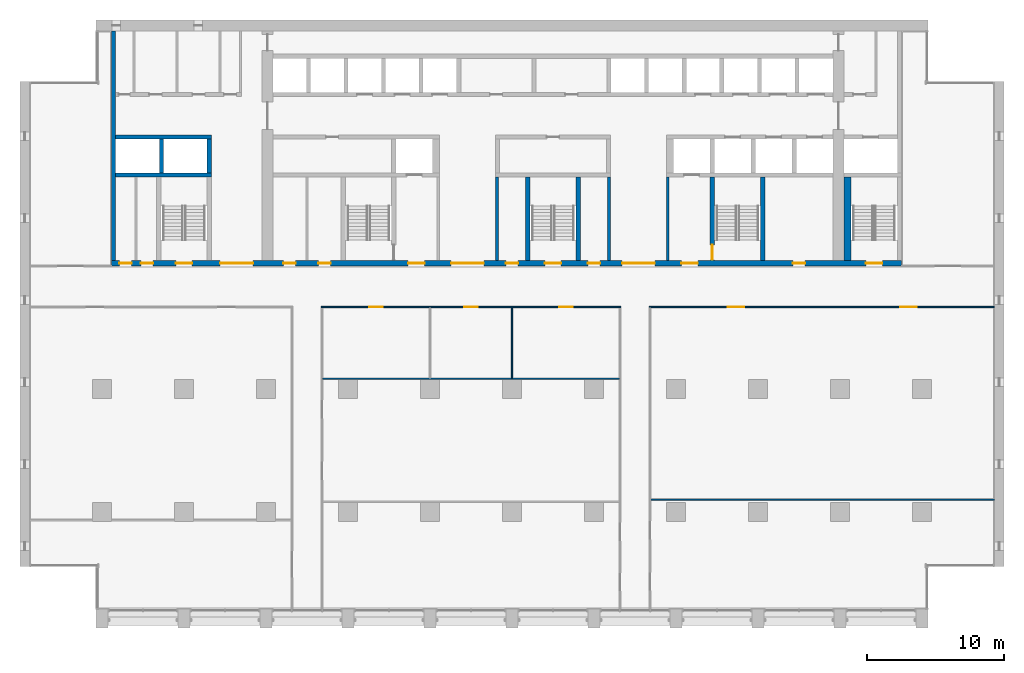
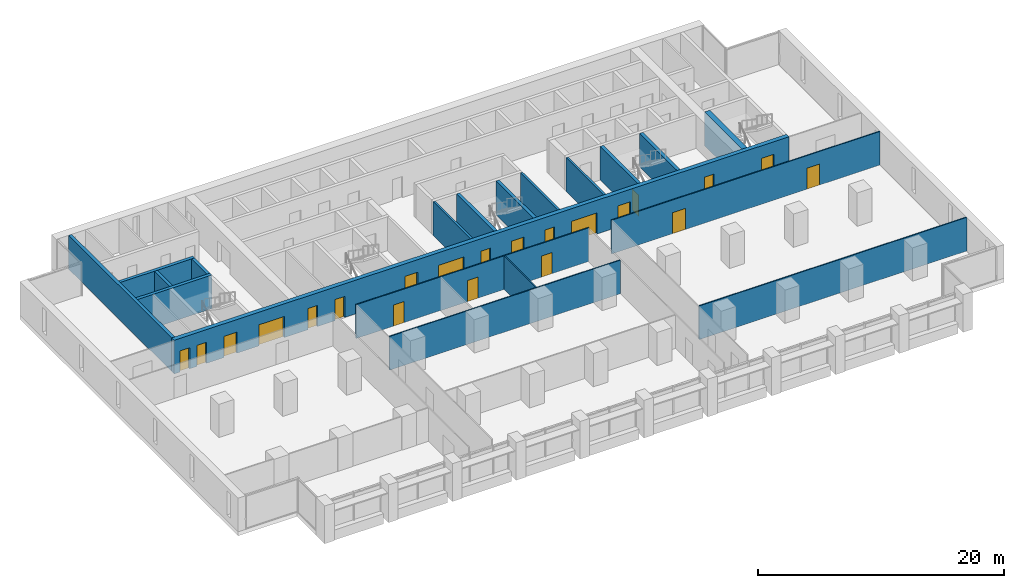
# One storey, part 9 of 15: 21 doors, 19 walls, 21 openings.
"""IFC4 building model written with IfcOpenShell, lengths in metres."""

from ifc_helpers import new_model, si_unit, direction, frame, frame_2d, origin, place, context, subcontext, project, spatial, rectangle, extrude, material, layer, layer_set, type_object, element, fill, save


model = new_model("IFC4")

# Units and contexts
model_context = context("Model", 3, precision=1e-05, world=origin(), true_north=direction((0.0, 1.0)))
body_context = subcontext(model_context, "Body", "Model", "MODEL_VIEW")
ifc_project = project(units=[si_unit("LENGTHUNIT", "METRE"), si_unit("AREAUNIT", "SQUARE_METRE"), si_unit("VOLUMEUNIT", "CUBIC_METRE"), si_unit("PLANEANGLEUNIT", "RADIAN"), si_unit("MASSUNIT", "GRAM", prefix="KILO")], contexts=[model_context])

# Site, building, storey
site_placement = place(None, origin())
site = spatial("IfcSite", under=ifc_project, at=site_placement, CompositionType="ELEMENT")
building_placement = place(site_placement, origin())
building = spatial("IfcBuilding", under=site, at=building_placement, Name="Calvaro Tower", CompositionType="ELEMENT")
storey_placement = place(building_placement, frame((0.0, 0.0, 110.0)))
storey = spatial("IfcBuildingStorey", under=building, at=storey_placement, Name="L27", CompositionType="ELEMENT", Elevation=110.0)

# Walls
ifc_material_1 = material(Name="Blockwork partition", Category="masonry")
ifc_layer_1 = layer(ifc_material_1, 0.199951171875)
ifc_layer_set_1 = layer_set([ifc_layer_1], Name="Blockwork partition")
wall_type_1 = type_object("IfcWallType", Name="Core partition 200 REI 120", PredefinedType="PARTITIONING", material=ifc_layer_set_1)
for number, where, z_axis, x_axis, name in (
    (1, (34.89990234375, 28.39990234375, 0.0), (0.0, 0.0, 1.0), (0.0, 1.0, 0.0), "Core partition"),
    (2, (43.10009765625, 28.39990234375, 0.0), (0.0, 0.0, 1.0), (0.0, 1.0, 0.0), "Core partition"),
    (3, (47.39990234375, 28.39990234375, 0.0), (0.0, 0.0, 1.0), (0.0, 1.0, 0.0), "Core partition"),
):
    element("IfcWall", number, at=place(storey_placement, frame(where, z_axis=z_axis, x_axis=x_axis)), inside=storey, type_object=wall_type_1, Name=name, PredefinedType="PARTITIONING", context=body_context, shape_type="SweptSolid", body=[
        extrude(rectangle(XDim=6.10009765625, YDim=0.199951171875, at=frame_2d((3.050048828125, 0.0))), origin(), (0.0, 0.0, 1.0), 3.35009765625),
    ])
ifc_material_2 = material(Name="Concrete C60/75", Category="concrete")
ifc_layer_2 = layer(ifc_material_2, 0.300048828125)
ifc_layer_set_2 = layer_set([ifc_layer_2], Name="Concrete C60/75")
wall_type_2 = type_object("IfcWallType", Name="Core wall C60/75 300", PredefinedType="SHEAR", material=ifc_layer_set_2)
wall_1_placement = place(storey_placement, frame((6.85009765625, 28.39990234375, 0.0), z_axis=(0.0, 0.0, 1.0), x_axis=(0.0, 1.0, 0.0)))
element("IfcWall", 4, at=wall_1_placement, inside=storey, type_object=wall_type_2, Name="Core wall, boundary", PredefinedType="SHEAR", context=body_context, shape_type="SweptSolid", body=[
    extrude(rectangle(XDim=16.800048828125, YDim=0.300048828125, at=frame_2d((8.39990234375, 0.0))), origin(), (0.0, 0.0, 1.0), 3.35009765625),
])
for number, where, z_axis, x_axis, name in (
    (5, (37.14990234375, 28.39990234375, 0.0), (0.0, 0.0, 1.0), (0.0, 1.0, 0.0), "Core wall, stair enclosure"),
    (6, (40.85009765625, 28.39990234375, 0.0), (0.0, 0.0, 1.0), (0.0, 1.0, 0.0), "Core wall, stair enclosure"),
):
    element("IfcWall", number, at=place(storey_placement, frame(where, z_axis=z_axis, x_axis=x_axis)), inside=storey, type_object=wall_type_2, Name=name, PredefinedType="SHEAR", context=body_context, shape_type="SweptSolid", body=[
        extrude(rectangle(XDim=6.10009765625, YDim=0.300048828125, at=frame_2d((3.050048828125, 0.0))), origin(), (0.0, 0.0, 1.0), 3.35009765625),
    ])

# Wall, opening, door
wall_2_placement = place(storey_placement, frame((50.64990234375, 34.5, 0.0), z_axis=(0.0, 0.0, 1.0), x_axis=(0.0, -1.0, 0.0)))
wall_2 = element("IfcWall", 7, at=wall_2_placement, inside=storey, type_object=wall_type_2, Name="Core wall, stair enclosure", PredefinedType="SHEAR", context=body_context, shape_type="SweptSolid", body=[
    extrude(rectangle(XDim=6.10009765625, YDim=0.300048828125, at=frame_2d((3.050048828125, 0.0))), origin(), (0.0, 0.0, 1.0), 3.35009765625),
])
opening_1_placement = place(wall_2_placement, frame((4.949951171875, 0.0, 0.0)))
opening_1 = element("IfcOpeningElement", 8, at=opening_1_placement, cuts=wall_2, Name="Opening FD11D", PredefinedType="OPENING", context=body_context, shape_type="SweptSolid", body=[
    extrude(rectangle(XDim=1.10009765625, YDim=2.10009765625, at=frame_2d((0.550048828125, 1.050048828125))), frame((0.0, 0.159912109375, 0.0), z_axis=(0.0, -1.0, 0.0), x_axis=(1.0, 0.0, 0.0)), (0.0, 0.0, 1.0), 0.320068359375),
])
ifc_material_3 = material(Name="Steel door set", Category="steel")
door_type_1 = type_object("IfcDoorType", Name="Fire door 1100 FD30S", OperationType="SINGLE_SWING_LEFT", PredefinedType="DOOR", material=ifc_material_3)
door_1_placement = place(opening_1_placement, origin())
door_1 = element("IfcDoor", 9, at=door_1_placement, inside=storey, type_object=door_type_1, Name="Fire door", OperationType="SINGLE_SWING_RIGHT", OverallHeight=2.10009765625, OverallWidth=1.10009765625, PredefinedType="DOOR", context=body_context, shape_type="SweptSolid", body=[
    extrude(rectangle(XDim=1.10009765625, YDim=2.10009765625, at=frame_2d((0.550048828125, 1.050048828125))), frame((0.0, 0.02490234375, 0.0), z_axis=(0.0, -1.0, 0.0), x_axis=(1.0, 0.0, 0.0)), (0.0, 0.0, 1.0), 0.050048828125),
])
fill(opening_1, door_1)

# Walls
wall_3_placement = place(storey_placement, frame((54.35009765625, 28.39990234375, 0.0), z_axis=(0.0, 0.0, 1.0), x_axis=(0.0, 1.0, 0.0)))
element("IfcWall", 10, at=wall_3_placement, inside=storey, type_object=wall_type_2, Name="Core wall, stair enclosure", PredefinedType="SHEAR", context=body_context, shape_type="SweptSolid", body=[
    extrude(rectangle(XDim=6.10009765625, YDim=0.300048828125, at=frame_2d((3.050048828125, 0.0))), origin(), (0.0, 0.0, 1.0), 3.35009765625),
])
for number, where, z_axis, x_axis, name in (
    (11, (7.0, 34.64990234375, 0.0), (0.0, 0.0, 1.0), (1.0, 0.0, 0.0), "Core wall, lift shaft"),
    (12, (7.0, 37.449951171875, 0.0), (0.0, 0.0, 1.0), (1.0, 0.0, 0.0), "Core wall, lift shaft"),
):
    element("IfcWall", number, at=place(storey_placement, frame(where, z_axis=z_axis, x_axis=x_axis)), inside=storey, type_object=wall_type_2, Name=name, PredefinedType="SHEAR", context=body_context, shape_type="SweptSolid", body=[
        extrude(rectangle(XDim=7.0, YDim=0.300048828125, at=frame_2d((3.5, 0.0))), origin(), (0.0, 0.0, 1.0), 3.35009765625),
    ])
for number, where, z_axis, x_axis, name in (
    (13, (13.85009765625, 34.800048828125, 0.0), (0.0, 0.0, 1.0), (0.0, 1.0, 0.0), "Core wall, lift shaft"),
    (14, (10.35009765625, 34.800048828125, 0.0), (0.0, 0.0, 1.0), (0.0, 1.0, 0.0), "Core wall, lift shaft"),
):
    element("IfcWall", number, at=place(storey_placement, frame(where, z_axis=z_axis, x_axis=x_axis)), inside=storey, type_object=wall_type_2, Name=name, PredefinedType="SHEAR", context=body_context, shape_type="SweptSolid", body=[
        extrude(rectangle(XDim=2.5, YDim=0.300048828125, at=frame_2d((1.25, 0.0))), origin(), (0.0, 0.0, 1.0), 3.35009765625),
    ])

# Wall, openings, doors
ifc_material_4 = material(Name="Concrete C60/75", Category="concrete")
ifc_layer_3 = layer(ifc_material_4, 0.39990234375)
ifc_layer_set_3 = layer_set([ifc_layer_3], Name="Concrete C60/75")
wall_type_3 = type_object("IfcWallType", Name="Core wall C60/75 400", PredefinedType="SHEAR", material=ifc_layer_set_3)
wall_4_placement = place(storey_placement, frame((6.699951171875, 28.199951171875, 0.0), z_axis=(0.0, 0.0, 1.0), x_axis=(1.0, 0.0, 0.0)))
wall_4 = element("IfcWall", 15, at=wall_4_placement, inside=storey, type_object=wall_type_3, Name="Core wall, front", PredefinedType="SHEAR", context=body_context, shape_type="SweptSolid", body=[
    extrude(rectangle(XDim=57.800048828125, YDim=0.39990234375, at=frame_2d((28.89990234375, 0.0))), origin(), (0.0, 0.0, 1.0), 3.35009765625),
])
opening_2_placement = place(wall_4_placement, frame((12.5625, 0.0, 0.0)))
opening_2 = element("IfcOpeningElement", 16, at=opening_2_placement, cuts=wall_4, Name="Opening RD9E", PredefinedType="OPENING", context=body_context, shape_type="SweptSolid", body=[
    extrude(rectangle(XDim=0.89990234375, YDim=2.10009765625, at=frame_2d((0.449951171875, 1.050048828125))), frame((0.0, 0.2099609375, 0.0), z_axis=(0.0, -1.0, 0.0), x_axis=(1.0, 0.0, 0.0)), (0.0, 0.0, 1.0), 0.419921875),
])
opening_3_placement = place(wall_4_placement, frame((15.137451171875, 0.0, 0.0)))
opening_3 = element("IfcOpeningElement", 17, at=opening_3_placement, cuts=wall_4, Name="Opening RD9C", PredefinedType="OPENING", context=body_context, shape_type="SweptSolid", body=[
    extrude(rectangle(XDim=0.89990234375, YDim=2.10009765625, at=frame_2d((0.449951171875, 1.050048828125))), frame((0.0, 0.2099609375, 0.0), z_axis=(0.0, -1.0, 0.0), x_axis=(1.0, 0.0, 0.0)), (0.0, 0.0, 1.0), 0.419921875),
])
opening_4_placement = place(wall_4_placement, frame((49.85009765625, 0.0, 0.0)))
opening_4 = element("IfcOpeningElement", 18, at=opening_4_placement, cuts=wall_4, Name="Opening RD9E", PredefinedType="OPENING", context=body_context, shape_type="SweptSolid", body=[
    extrude(rectangle(XDim=0.89990234375, YDim=2.10009765625, at=frame_2d((0.449951171875, 1.050048828125))), frame((0.0, 0.2099609375, 0.0), z_axis=(0.0, -1.0, 0.0), x_axis=(1.0, 0.0, 0.0)), (0.0, 0.0, 1.0), 0.419921875),
])
opening_5_placement = place(wall_4_placement, frame((0.5625, 0.0, 0.0)))
opening_5 = element("IfcOpeningElement", 19, at=opening_5_placement, cuts=wall_4, Name="Opening RD9C", PredefinedType="OPENING", context=body_context, shape_type="SweptSolid", body=[
    extrude(rectangle(XDim=0.89990234375, YDim=2.10009765625, at=frame_2d((0.449951171875, 1.050048828125))), frame((0.0, 0.2099609375, 0.0), z_axis=(0.0, -1.0, 0.0), x_axis=(1.0, 0.0, 0.0)), (0.0, 0.0, 1.0), 0.419921875),
])
opening_6_placement = place(wall_4_placement, frame((2.137451171875, 0.0, 0.0)))
opening_6 = element("IfcOpeningElement", 20, at=opening_6_placement, cuts=wall_4, Name="Opening RD9E", PredefinedType="OPENING", context=body_context, shape_type="SweptSolid", body=[
    extrude(rectangle(XDim=0.89990234375, YDim=2.10009765625, at=frame_2d((0.449951171875, 1.050048828125))), frame((0.0, 0.2099609375, 0.0), z_axis=(0.0, -1.0, 0.0), x_axis=(1.0, 0.0, 0.0)), (0.0, 0.0, 1.0), 0.419921875),
])
opening_7_placement = place(wall_4_placement, frame((4.699951171875, 0.0, 0.0)))
opening_7 = element("IfcOpeningElement", 21, at=opening_7_placement, cuts=wall_4, Name="Opening SD12D", PredefinedType="OPENING", context=body_context, shape_type="SweptSolid", body=[
    extrude(rectangle(XDim=1.199951171875, YDim=2.10009765625, at=frame_2d((0.60009765625, 1.050048828125))), frame((0.0, 0.2099609375, 0.0), z_axis=(0.0, -1.0, 0.0), x_axis=(1.0, 0.0, 0.0)), (0.0, 0.0, 1.0), 0.419921875),
])
opening_8_placement = place(wall_4_placement, frame((31.699951171875, 0.0, 0.0)))
opening_8 = element("IfcOpeningElement", 22, at=opening_8_placement, cuts=wall_4, Name="Opening SD12D", PredefinedType="OPENING", context=body_context, shape_type="SweptSolid", body=[
    extrude(rectangle(XDim=1.199951171875, YDim=2.10009765625, at=frame_2d((0.60009765625, 1.050048828125))), frame((0.0, 0.2099609375, 0.0), z_axis=(0.0, -1.0, 0.0), x_axis=(1.0, 0.0, 0.0)), (0.0, 0.0, 1.0), 0.419921875),
])
opening_9_placement = place(wall_4_placement, frame((55.199951171875, 0.0, 0.0)))
opening_9 = element("IfcOpeningElement", 23, at=opening_9_placement, cuts=wall_4, Name="Opening SD12D", PredefinedType="OPENING", context=body_context, shape_type="SweptSolid", body=[
    extrude(rectangle(XDim=1.199951171875, YDim=2.10009765625, at=frame_2d((0.60009765625, 1.050048828125))), frame((0.0, 0.2099609375, 0.0), z_axis=(0.0, -1.0, 0.0), x_axis=(1.0, 0.0, 0.0)), (0.0, 0.0, 1.0), 0.419921875),
])
opening_10_placement = place(wall_4_placement, frame((21.699951171875, 0.0, 0.0)))
opening_10 = element("IfcOpeningElement", 24, at=opening_10_placement, cuts=wall_4, Name="Opening FD12F", PredefinedType="OPENING", context=body_context, shape_type="SweptSolid", body=[
    extrude(rectangle(XDim=1.199951171875, YDim=2.10009765625, at=frame_2d((0.60009765625, 1.050048828125))), frame((0.0, 0.2099609375, 0.0), z_axis=(0.0, -1.0, 0.0), x_axis=(1.0, 0.0, 0.0)), (0.0, 0.0, 1.0), 0.419921875),
])
opening_11_placement = place(wall_4_placement, frame((41.699951171875, 0.0, 0.0)))
opening_11 = element("IfcOpeningElement", 25, at=opening_11_placement, cuts=wall_4, Name="Opening FD12F", PredefinedType="OPENING", context=body_context, shape_type="SweptSolid", body=[
    extrude(rectangle(XDim=1.199951171875, YDim=2.10009765625, at=frame_2d((0.60009765625, 1.050048828125))), frame((0.0, 0.2099609375, 0.0), z_axis=(0.0, -1.0, 0.0), x_axis=(1.0, 0.0, 0.0)), (0.0, 0.0, 1.0), 0.419921875),
])
opening_12_placement = place(wall_4_placement, frame((24.85009765625, 0.0, 0.0)))
opening_12 = element("IfcOpeningElement", 26, at=opening_12_placement, cuts=wall_4, Name="Opening DD24D", PredefinedType="OPENING", context=body_context, shape_type="SweptSolid", body=[
    extrude(rectangle(XDim=2.39990234375, YDim=2.10009765625, at=frame_2d((1.199951171875, 1.050048828125))), frame((0.0, 0.2099609375, 0.0), z_axis=(0.0, -1.0, 0.0), x_axis=(1.0, 0.0, 0.0)), (0.0, 0.0, 1.0), 0.419921875),
])
opening_13_placement = place(wall_4_placement, frame((37.35009765625, 0.0, 0.0)))
opening_13 = element("IfcOpeningElement", 27, at=opening_13_placement, cuts=wall_4, Name="Opening DD24D", PredefinedType="OPENING", context=body_context, shape_type="SweptSolid", body=[
    extrude(rectangle(XDim=2.39990234375, YDim=2.10009765625, at=frame_2d((1.199951171875, 1.050048828125))), frame((0.0, 0.2099609375, 0.0), z_axis=(0.0, -1.0, 0.0), x_axis=(1.0, 0.0, 0.0)), (0.0, 0.0, 1.0), 0.419921875),
])
opening_14_placement = place(wall_4_placement, frame((7.949951171875, 0.0, 0.0)))
opening_14 = element("IfcOpeningElement", 28, at=opening_14_placement, cuts=wall_4, Name="Opening DD24D", PredefinedType="OPENING", context=body_context, shape_type="SweptSolid", body=[
    extrude(rectangle(XDim=2.39990234375, YDim=2.10009765625, at=frame_2d((1.199951171875, 1.050048828125))), frame((0.0, 0.2099609375, 0.0), z_axis=(0.0, -1.0, 0.0), x_axis=(1.0, 0.0, 0.0)), (0.0, 0.0, 1.0), 0.419921875),
])
opening_15_placement = place(wall_4_placement, frame((28.85009765625, 0.0, 0.0)))
opening_15 = element("IfcOpeningElement", 29, at=opening_15_placement, cuts=wall_4, Name="Opening RD9E", PredefinedType="OPENING", context=body_context, shape_type="SweptSolid", body=[
    extrude(rectangle(XDim=0.89990234375, YDim=2.10009765625, at=frame_2d((0.449951171875, 1.050048828125))), frame((0.0, 0.2099609375, 0.0), z_axis=(0.0, -1.0, 0.0), x_axis=(1.0, 0.0, 0.0)), (0.0, 0.0, 1.0), 0.419921875),
])
opening_16_placement = place(wall_4_placement, frame((34.85009765625, 0.0, 0.0)))
opening_16 = element("IfcOpeningElement", 30, at=opening_16_placement, cuts=wall_4, Name="Opening RD9E", PredefinedType="OPENING", context=body_context, shape_type="SweptSolid", body=[
    extrude(rectangle(XDim=0.89990234375, YDim=2.10009765625, at=frame_2d((0.449951171875, 1.050048828125))), frame((0.0, 0.2099609375, 0.0), z_axis=(0.0, -1.0, 0.0), x_axis=(1.0, 0.0, 0.0)), (0.0, 0.0, 1.0), 0.419921875),
])
ifc_material_5 = material(Name="Steel door set", Category="steel")
door_type_2 = type_object("IfcDoorType", Name="Fire door 1200 FD60S", OperationType="SINGLE_SWING_LEFT", PredefinedType="DOOR", material=ifc_material_5)
door_2_placement = place(opening_10_placement, origin())
door_2 = element("IfcDoor", 31, at=door_2_placement, inside=storey, type_object=door_type_2, Name="Fire door", OperationType="SINGLE_SWING_LEFT", OverallHeight=2.10009765625, OverallWidth=1.199951171875, PredefinedType="DOOR", context=body_context, shape_type="SweptSolid", body=[
    extrude(rectangle(XDim=1.199951171875, YDim=2.10009765625, at=frame_2d((0.60009765625, 1.050048828125))), frame((0.0, 0.02490234375, 0.0), z_axis=(0.0, -1.0, 0.0), x_axis=(1.0, 0.0, 0.0)), (0.0, 0.0, 1.0), 0.050048828125),
])
fill(opening_10, door_2)
door_3_placement = place(opening_11_placement, origin())
door_3 = element("IfcDoor", 32, at=door_3_placement, inside=storey, type_object=door_type_2, Name="Fire door", OperationType="SINGLE_SWING_LEFT", OverallHeight=2.10009765625, OverallWidth=1.199951171875, PredefinedType="DOOR", context=body_context, shape_type="SweptSolid", body=[
    extrude(rectangle(XDim=1.199951171875, YDim=2.10009765625, at=frame_2d((0.60009765625, 1.050048828125))), frame((0.0, 0.02490234375, 0.0), z_axis=(0.0, -1.0, 0.0), x_axis=(1.0, 0.0, 0.0)), (0.0, 0.0, 1.0), 0.050048828125),
])
fill(opening_11, door_3)
ifc_material_6 = material(Name="Steel door set", Category="steel")
door_type_3 = type_object("IfcDoorType", Name="Lobby double door 2400 FD30S", OperationType="DOUBLE_DOOR_SINGLE_SWING", PredefinedType="DOOR", material=ifc_material_6)
door_4_placement = place(opening_12_placement, origin())
door_4 = element("IfcDoor", 33, at=door_4_placement, inside=storey, type_object=door_type_3, Name="Lobby double door", OperationType="DOUBLE_DOOR_SINGLE_SWING", OverallHeight=2.10009765625, OverallWidth=2.39990234375, PredefinedType="DOOR", context=body_context, shape_type="SweptSolid", body=[
    extrude(rectangle(XDim=2.39990234375, YDim=2.10009765625, at=frame_2d((1.199951171875, 1.050048828125))), frame((0.0, 0.02490234375, 0.0), z_axis=(0.0, -1.0, 0.0), x_axis=(1.0, 0.0, 0.0)), (0.0, 0.0, 1.0), 0.050048828125),
])
fill(opening_12, door_4)
door_5_placement = place(opening_13_placement, origin())
door_5 = element("IfcDoor", 34, at=door_5_placement, inside=storey, type_object=door_type_3, Name="Lobby double door", OperationType="DOUBLE_DOOR_SINGLE_SWING", OverallHeight=2.10009765625, OverallWidth=2.39990234375, PredefinedType="DOOR", context=body_context, shape_type="SweptSolid", body=[
    extrude(rectangle(XDim=2.39990234375, YDim=2.10009765625, at=frame_2d((1.199951171875, 1.050048828125))), frame((0.0, 0.02490234375, 0.0), z_axis=(0.0, -1.0, 0.0), x_axis=(1.0, 0.0, 0.0)), (0.0, 0.0, 1.0), 0.050048828125),
])
fill(opening_13, door_5)
door_6_placement = place(opening_14_placement, origin())
door_6 = element("IfcDoor", 35, at=door_6_placement, inside=storey, type_object=door_type_3, Name="Lobby double door", OperationType="DOUBLE_DOOR_SINGLE_SWING", OverallHeight=2.10009765625, OverallWidth=2.39990234375, PredefinedType="DOOR", context=body_context, shape_type="SweptSolid", body=[
    extrude(rectangle(XDim=2.39990234375, YDim=2.10009765625, at=frame_2d((1.199951171875, 1.050048828125))), frame((0.0, 0.02490234375, 0.0), z_axis=(0.0, -1.0, 0.0), x_axis=(1.0, 0.0, 0.0)), (0.0, 0.0, 1.0), 0.050048828125),
])
fill(opening_14, door_6)
ifc_material_7 = material(Name="Steel door set", Category="steel")
door_type_4 = type_object("IfcDoorType", Name="Room door 900 FD30", OperationType="SINGLE_SWING_LEFT", PredefinedType="DOOR", material=ifc_material_7)
door_7_placement = place(opening_3_placement, origin())
door_7 = element("IfcDoor", 36, at=door_7_placement, inside=storey, type_object=door_type_4, Name="Room door", OperationType="SINGLE_SWING_RIGHT", OverallHeight=2.10009765625, OverallWidth=0.89990234375, PredefinedType="DOOR", context=body_context, shape_type="SweptSolid", body=[
    extrude(rectangle(XDim=0.89990234375, YDim=2.10009765625, at=frame_2d((0.449951171875, 1.050048828125))), frame((0.0, 0.02490234375, 0.0), z_axis=(0.0, -1.0, 0.0), x_axis=(1.0, 0.0, 0.0)), (0.0, 0.0, 1.0), 0.050048828125),
])
fill(opening_3, door_7)
door_8_placement = place(opening_5_placement, origin())
door_8 = element("IfcDoor", 37, at=door_8_placement, inside=storey, type_object=door_type_4, Name="Room door", OperationType="SINGLE_SWING_LEFT", OverallHeight=2.10009765625, OverallWidth=0.89990234375, PredefinedType="DOOR", context=body_context, shape_type="SweptSolid", body=[
    extrude(rectangle(XDim=0.89990234375, YDim=2.10009765625, at=frame_2d((0.449951171875, 1.050048828125))), frame((0.0, 0.02490234375, 0.0), z_axis=(0.0, -1.0, 0.0), x_axis=(1.0, 0.0, 0.0)), (0.0, 0.0, 1.0), 0.050048828125),
])
fill(opening_5, door_8)
ifc_material_8 = material(Name="Steel door set", Category="steel")
door_type_5 = type_object("IfcDoorType", Name="Room door 900 FD60", OperationType="SINGLE_SWING_LEFT", PredefinedType="DOOR", material=ifc_material_8)
door_9_placement = place(opening_2_placement, origin())
door_9 = element("IfcDoor", 38, at=door_9_placement, inside=storey, type_object=door_type_5, Name="Room door", OperationType="SINGLE_SWING_LEFT", OverallHeight=2.10009765625, OverallWidth=0.89990234375, PredefinedType="DOOR", context=body_context, shape_type="SweptSolid", body=[
    extrude(rectangle(XDim=0.89990234375, YDim=2.10009765625, at=frame_2d((0.449951171875, 1.050048828125))), frame((0.0, 0.02490234375, 0.0), z_axis=(0.0, -1.0, 0.0), x_axis=(1.0, 0.0, 0.0)), (0.0, 0.0, 1.0), 0.050048828125),
])
fill(opening_2, door_9)
door_10_placement = place(opening_4_placement, origin())
door_10 = element("IfcDoor", 39, at=door_10_placement, inside=storey, type_object=door_type_5, Name="Room door", OperationType="SINGLE_SWING_LEFT", OverallHeight=2.10009765625, OverallWidth=0.89990234375, PredefinedType="DOOR", context=body_context, shape_type="SweptSolid", body=[
    extrude(rectangle(XDim=0.89990234375, YDim=2.10009765625, at=frame_2d((0.449951171875, 1.050048828125))), frame((0.0, 0.02490234375, 0.0), z_axis=(0.0, -1.0, 0.0), x_axis=(1.0, 0.0, 0.0)), (0.0, 0.0, 1.0), 0.050048828125),
])
fill(opening_4, door_10)
door_11_placement = place(opening_6_placement, origin())
door_11 = element("IfcDoor", 40, at=door_11_placement, inside=storey, type_object=door_type_5, Name="Room door", OperationType="SINGLE_SWING_LEFT", OverallHeight=2.10009765625, OverallWidth=0.89990234375, PredefinedType="DOOR", context=body_context, shape_type="SweptSolid", body=[
    extrude(rectangle(XDim=0.89990234375, YDim=2.10009765625, at=frame_2d((0.449951171875, 1.050048828125))), frame((0.0, 0.02490234375, 0.0), z_axis=(0.0, -1.0, 0.0), x_axis=(1.0, 0.0, 0.0)), (0.0, 0.0, 1.0), 0.050048828125),
])
fill(opening_6, door_11)
door_12_placement = place(opening_15_placement, origin())
door_12 = element("IfcDoor", 41, at=door_12_placement, inside=storey, type_object=door_type_5, Name="Room door", OperationType="SINGLE_SWING_LEFT", OverallHeight=2.10009765625, OverallWidth=0.89990234375, PredefinedType="DOOR", context=body_context, shape_type="SweptSolid", body=[
    extrude(rectangle(XDim=0.89990234375, YDim=2.10009765625, at=frame_2d((0.449951171875, 1.050048828125))), frame((0.0, 0.02490234375, 0.0), z_axis=(0.0, -1.0, 0.0), x_axis=(1.0, 0.0, 0.0)), (0.0, 0.0, 1.0), 0.050048828125),
])
fill(opening_15, door_12)
door_13_placement = place(opening_16_placement, origin())
door_13 = element("IfcDoor", 42, at=door_13_placement, inside=storey, type_object=door_type_5, Name="Room door", OperationType="SINGLE_SWING_LEFT", OverallHeight=2.10009765625, OverallWidth=0.89990234375, PredefinedType="DOOR", context=body_context, shape_type="SweptSolid", body=[
    extrude(rectangle(XDim=0.89990234375, YDim=2.10009765625, at=frame_2d((0.449951171875, 1.050048828125))), frame((0.0, 0.02490234375, 0.0), z_axis=(0.0, -1.0, 0.0), x_axis=(1.0, 0.0, 0.0)), (0.0, 0.0, 1.0), 0.050048828125),
])
fill(opening_16, door_13)
ifc_material_9 = material(Name="Steel door set", Category="steel")
door_type_6 = type_object("IfcDoorType", Name="Stair door 1200 FD30S", OperationType="SINGLE_SWING_LEFT", PredefinedType="DOOR", material=ifc_material_9)
door_14_placement = place(opening_7_placement, origin())
door_14 = element("IfcDoor", 43, at=door_14_placement, inside=storey, type_object=door_type_6, Name="Stair door", OperationType="SINGLE_SWING_LEFT", OverallHeight=2.10009765625, OverallWidth=1.199951171875, PredefinedType="DOOR", context=body_context, shape_type="SweptSolid", body=[
    extrude(rectangle(XDim=1.199951171875, YDim=2.10009765625, at=frame_2d((0.60009765625, 1.050048828125))), frame((0.0, 0.02490234375, 0.0), z_axis=(0.0, -1.0, 0.0), x_axis=(1.0, 0.0, 0.0)), (0.0, 0.0, 1.0), 0.050048828125),
])
fill(opening_7, door_14)
door_15_placement = place(opening_8_placement, origin())
door_15 = element("IfcDoor", 44, at=door_15_placement, inside=storey, type_object=door_type_6, Name="Stair door", OperationType="SINGLE_SWING_LEFT", OverallHeight=2.10009765625, OverallWidth=1.199951171875, PredefinedType="DOOR", context=body_context, shape_type="SweptSolid", body=[
    extrude(rectangle(XDim=1.199951171875, YDim=2.10009765625, at=frame_2d((0.60009765625, 1.050048828125))), frame((0.0, 0.02490234375, 0.0), z_axis=(0.0, -1.0, 0.0), x_axis=(1.0, 0.0, 0.0)), (0.0, 0.0, 1.0), 0.050048828125),
])
fill(opening_8, door_15)
door_16_placement = place(opening_9_placement, origin())
door_16 = element("IfcDoor", 45, at=door_16_placement, inside=storey, type_object=door_type_6, Name="Stair door", OperationType="SINGLE_SWING_LEFT", OverallHeight=2.10009765625, OverallWidth=1.199951171875, PredefinedType="DOOR", context=body_context, shape_type="SweptSolid", body=[
    extrude(rectangle(XDim=1.199951171875, YDim=2.10009765625, at=frame_2d((0.60009765625, 1.050048828125))), frame((0.0, 0.02490234375, 0.0), z_axis=(0.0, -1.0, 0.0), x_axis=(1.0, 0.0, 0.0)), (0.0, 0.0, 1.0), 0.050048828125),
])
fill(opening_9, door_16)

# Walls
ifc_material_10 = material(Name="Concrete C60/75", Category="concrete")
ifc_layer_4 = layer(ifc_material_10, 0.5)
ifc_layer_set_4 = layer_set([ifc_layer_4], Name="Concrete C60/75")
wall_type_4 = type_object("IfcWallType", Name="Core wall C60/75 500", PredefinedType="SHEAR", material=ifc_layer_set_4)
wall_5_placement = place(storey_placement, frame((60.550048828125, 28.39990234375, 0.0), z_axis=(0.0, 0.0, 1.0), x_axis=(0.0, 1.0, 0.0)))
element("IfcWall", 46, at=wall_5_placement, inside=storey, type_object=wall_type_4, Name="Core wall, stair enclosure", PredefinedType="SHEAR", context=body_context, shape_type="SweptSolid", body=[
    extrude(rectangle(XDim=6.10009765625, YDim=0.5, at=frame_2d((3.050048828125, 0.0))), origin(), (0.0, 0.0, 1.0), 3.35009765625),
])
ifc_material_11 = material(Name="Plasterboard on steel studs", Category="steel")
ifc_layer_5 = layer(ifc_material_11, 0.10009765625)
ifc_layer_set_5 = layer_set([ifc_layer_5], Name="Plasterboard on steel studs")
wall_type_5 = type_object("IfcWallType", Name="Partition 100", PredefinedType="PARTITIONING", material=ifc_layer_set_5)
wall_6_placement = place(storey_placement, frame((46.14990234375, 10.89990234375, 0.0), z_axis=(0.0, 0.0, 1.0), x_axis=(1.0, 0.0, 0.0)))
element("IfcWall", 47, at=wall_6_placement, inside=storey, type_object=wall_type_5, Name="Partition T17.W006", PredefinedType="PARTITIONING", context=body_context, shape_type="SweptSolid", body=[
    extrude(rectangle(XDim=25.150146484375, YDim=0.10009765625, at=frame_2d((12.5751953125, 0.0))), origin(), (0.0, 0.0, 1.0), 3.35009765625),
])
wall_7_placement = place(storey_placement, frame((22.14990234375, 19.75, 0.0), z_axis=(0.0, 0.0, 1.0), x_axis=(1.0, 0.0, 0.0)))
element("IfcWall", 48, at=wall_7_placement, inside=storey, type_object=wall_type_5, Name="Partition T17.W007", PredefinedType="PARTITIONING", context=body_context, shape_type="SweptSolid", body=[
    extrude(rectangle(XDim=21.7001953125, YDim=0.10009765625, at=frame_2d((10.85009765625, 0.0))), origin(), (0.0, 0.0, 1.0), 3.35009765625),
])

# Wall, openings, doors
wall_8_placement = place(storey_placement, frame((22.050048828125, 25.0, 0.0), z_axis=(0.0, 0.0, 1.0), x_axis=(1.0, 0.0, 0.0)))
wall_8 = element("IfcWall", 49, at=wall_8_placement, inside=storey, type_object=wall_type_5, Name="Partition T17.W009", PredefinedType="PARTITIONING", context=body_context, shape_type="SweptSolid", body=[
    extrude(rectangle(XDim=21.89990234375, YDim=0.10009765625, at=frame_2d((10.949951171875, 0.0))), origin(), (0.0, 0.0, 1.0), 3.35009765625),
])
opening_17_placement = place(wall_8_placement, frame((3.5, 0.0, 0.0)))
opening_17 = element("IfcOpeningElement", 50, at=opening_17_placement, cuts=wall_8, Name="Opening T17.012", PredefinedType="OPENING", context=body_context, shape_type="SweptSolid", body=[
    extrude(rectangle(XDim=1.0, YDim=2.10009765625, at=frame_2d((0.5, 1.050048828125))), frame((0.0, 0.06005859375, 0.0), z_axis=(0.0, -1.0, 0.0), x_axis=(1.0, 0.0, 0.0)), (0.0, 0.0, 1.0), 0.1201171875),
])
opening_18_placement = place(wall_8_placement, frame((10.449951171875, 0.0, 0.0)))
opening_18 = element("IfcOpeningElement", 51, at=opening_18_placement, cuts=wall_8, Name="Opening T17.013", PredefinedType="OPENING", context=body_context, shape_type="SweptSolid", body=[
    extrude(rectangle(XDim=1.0, YDim=2.10009765625, at=frame_2d((0.5, 1.050048828125))), frame((0.0, 0.06005859375, 0.0), z_axis=(0.0, -1.0, 0.0), x_axis=(1.0, 0.0, 0.0)), (0.0, 0.0, 1.0), 0.1201171875),
])
opening_19_placement = place(wall_8_placement, frame((17.39990234375, 0.0, 0.0)))
opening_19 = element("IfcOpeningElement", 52, at=opening_19_placement, cuts=wall_8, Name="Opening T17.014", PredefinedType="OPENING", context=body_context, shape_type="SweptSolid", body=[
    extrude(rectangle(XDim=1.0, YDim=2.10009765625, at=frame_2d((0.5, 1.050048828125))), frame((0.0, 0.06005859375, 0.0), z_axis=(0.0, -1.0, 0.0), x_axis=(1.0, 0.0, 0.0)), (0.0, 0.0, 1.0), 0.1201171875),
])
ifc_material_12 = material(Name="Timber", Category="wood")
door_type_7 = type_object("IfcDoorType", Name="Internal single door 1000 x 2100", OperationType="SINGLE_SWING_LEFT", PredefinedType="DOOR", material=ifc_material_12)
door_17_placement = place(opening_17_placement, origin())
door_17 = element("IfcDoor", 53, at=door_17_placement, inside=storey, type_object=door_type_7, Name="Door T17.012", OperationType="SINGLE_SWING_LEFT", OverallHeight=2.10009765625, OverallWidth=1.0, PredefinedType="DOOR", context=body_context, shape_type="SweptSolid", body=[
    extrude(rectangle(XDim=1.0, YDim=2.10009765625, at=frame_2d((0.5, 1.050048828125))), frame((0.0, 0.02490234375, 0.0), z_axis=(0.0, -1.0, 0.0), x_axis=(1.0, 0.0, 0.0)), (0.0, 0.0, 1.0), 0.050048828125),
])
fill(opening_17, door_17)
door_18_placement = place(opening_18_placement, origin())
door_18 = element("IfcDoor", 54, at=door_18_placement, inside=storey, type_object=door_type_7, Name="Door T17.013", OperationType="SINGLE_SWING_LEFT", OverallHeight=2.10009765625, OverallWidth=1.0, PredefinedType="DOOR", context=body_context, shape_type="SweptSolid", body=[
    extrude(rectangle(XDim=1.0, YDim=2.10009765625, at=frame_2d((0.5, 1.050048828125))), frame((0.0, 0.02490234375, 0.0), z_axis=(0.0, -1.0, 0.0), x_axis=(1.0, 0.0, 0.0)), (0.0, 0.0, 1.0), 0.050048828125),
])
fill(opening_18, door_18)
door_19_placement = place(opening_19_placement, origin())
door_19 = element("IfcDoor", 55, at=door_19_placement, inside=storey, type_object=door_type_7, Name="Door T17.014", OperationType="SINGLE_SWING_RIGHT", OverallHeight=2.10009765625, OverallWidth=1.0, PredefinedType="DOOR", context=body_context, shape_type="SweptSolid", body=[
    extrude(rectangle(XDim=1.0, YDim=2.10009765625, at=frame_2d((0.5, 1.050048828125))), frame((0.0, 0.02490234375, 0.0), z_axis=(0.0, -1.0, 0.0), x_axis=(1.0, 0.0, 0.0)), (0.0, 0.0, 1.0), 0.050048828125),
])
fill(opening_19, door_19)

wall_9_placement = place(storey_placement, frame((46.050048828125, 25.0, 0.0), z_axis=(0.0, 0.0, 1.0), x_axis=(1.0, 0.0, 0.0)))
wall_9 = element("IfcWall", 56, at=wall_9_placement, inside=storey, type_object=wall_type_5, Name="Partition T17.W010", PredefinedType="PARTITIONING", context=body_context, shape_type="SweptSolid", body=[
    extrude(rectangle(XDim=25.25, YDim=0.10009765625, at=frame_2d((12.625, 0.0))), origin(), (0.0, 0.0, 1.0), 3.35009765625),
])
opening_20_placement = place(wall_9_placement, frame((5.75, 0.0, 0.0)))
opening_20 = element("IfcOpeningElement", 57, at=opening_20_placement, cuts=wall_9, Name="Opening T17.010", PredefinedType="OPENING", context=body_context, shape_type="SweptSolid", body=[
    extrude(rectangle(XDim=1.199951171875, YDim=2.10009765625, at=frame_2d((0.60009765625, 1.050048828125))), frame((0.0, 0.06005859375, 0.0), z_axis=(0.0, -1.0, 0.0), x_axis=(1.0, 0.0, 0.0)), (0.0, 0.0, 1.0), 0.1201171875),
])
opening_21_placement = place(wall_9_placement, frame((18.35009765625, 0.0, 0.0)))
opening_21 = element("IfcOpeningElement", 58, at=opening_21_placement, cuts=wall_9, Name="Opening T17.011", PredefinedType="OPENING", context=body_context, shape_type="SweptSolid", body=[
    extrude(rectangle(XDim=1.199951171875, YDim=2.10009765625, at=frame_2d((0.60009765625, 1.050048828125))), frame((0.0, 0.06005859375, 0.0), z_axis=(0.0, -1.0, 0.0), x_axis=(1.0, 0.0, 0.0)), (0.0, 0.0, 1.0), 0.1201171875),
])
ifc_material_13 = material(Name="Timber", Category="wood")
door_type_8 = type_object("IfcDoorType", Name="Internal single door 1200 x 2100", OperationType="SINGLE_SWING_LEFT", PredefinedType="DOOR", material=ifc_material_13)
door_20_placement = place(opening_20_placement, origin())
door_20 = element("IfcDoor", 59, at=door_20_placement, inside=storey, type_object=door_type_8, Name="Door T17.010", OperationType="SINGLE_SWING_LEFT", OverallHeight=2.10009765625, OverallWidth=1.199951171875, PredefinedType="DOOR", context=body_context, shape_type="SweptSolid", body=[
    extrude(rectangle(XDim=1.199951171875, YDim=2.10009765625, at=frame_2d((0.60009765625, 1.050048828125))), frame((0.0, 0.02490234375, 0.0), z_axis=(0.0, -1.0, 0.0), x_axis=(1.0, 0.0, 0.0)), (0.0, 0.0, 1.0), 0.050048828125),
])
fill(opening_20, door_20)
door_21_placement = place(opening_21_placement, origin())
door_21 = element("IfcDoor", 60, at=door_21_placement, inside=storey, type_object=door_type_8, Name="Door T17.011", OperationType="SINGLE_SWING_RIGHT", OverallHeight=2.10009765625, OverallWidth=1.199951171875, PredefinedType="DOOR", context=body_context, shape_type="SweptSolid", body=[
    extrude(rectangle(XDim=1.199951171875, YDim=2.10009765625, at=frame_2d((0.60009765625, 1.050048828125))), frame((0.0, 0.02490234375, 0.0), z_axis=(0.0, -1.0, 0.0), x_axis=(1.0, 0.0, 0.0)), (0.0, 0.0, 1.0), 0.050048828125),
])
fill(opening_21, door_21)

# Wall
wall_10_placement = place(storey_placement, frame((36.0, 19.800048828125, 0.0), z_axis=(0.0, 0.0, 1.0), x_axis=(0.0, 1.0, 0.0)))
element("IfcWall", 61, at=wall_10_placement, inside=storey, type_object=wall_type_5, Name="Partition T17.W016", PredefinedType="PARTITIONING", context=body_context, shape_type="SweptSolid", body=[
    extrude(rectangle(XDim=5.14990234375, YDim=0.10009765625, at=frame_2d((2.574951171875, 0.0))), origin(), (0.0, 0.0, 1.0), 3.35009765625),
])

save(model, "model.ifc")
